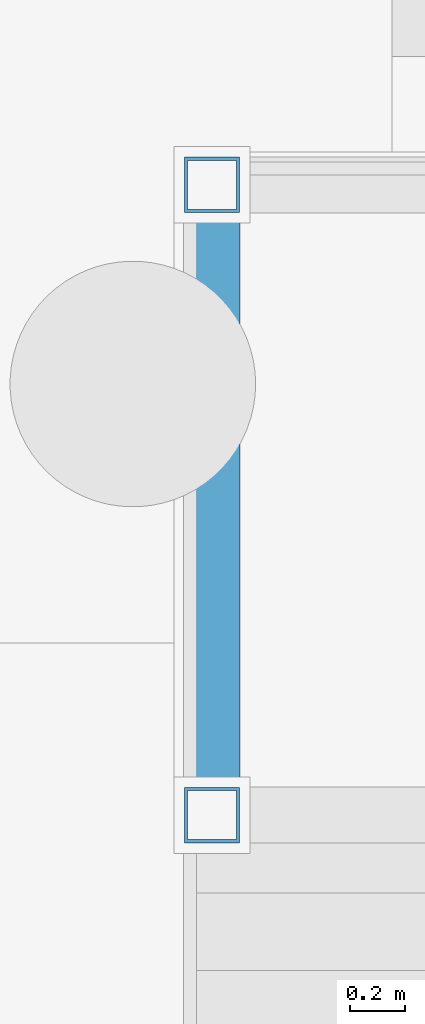
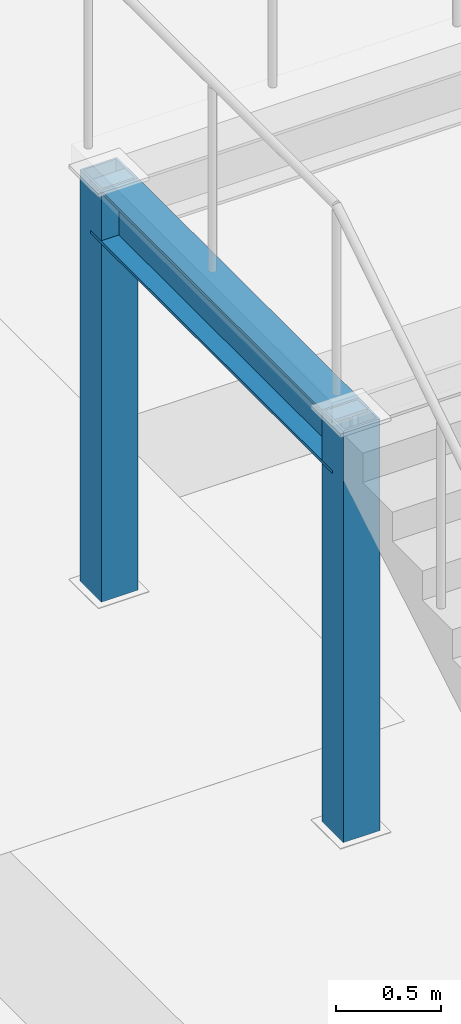
# One storey, part 53 of 119: 2 members, 1 beam.
"""IFC4 building model written with IfcOpenShell, lengths in metres."""

from ifc_helpers import new_model, si_unit, derived_unit, direction, frame, origin, origin_2d, place, context, subcontext, project, spatial, hollow_rectangle, i_section, extrude, material, material_profile, profile_set, type_object, element, save


model = new_model("IFC4")

# Units and contexts
model_context = context("Model", 3, precision=1e-05, world=origin(), true_north=direction((0.0, 1.0)))
body_context = subcontext(model_context, "Body", "Model", "MODEL_VIEW")
ifc_project = project(units=[si_unit("LENGTHUNIT", "METRE"), si_unit("AREAUNIT", "SQUARE_METRE"), si_unit("VOLUMEUNIT", "CUBIC_METRE"), si_unit("PLANEANGLEUNIT", "RADIAN"), si_unit("MASSUNIT", "GRAM", prefix="KILO"), derived_unit("THERMALTRANSMITTANCEUNIT", [(si_unit("MASSUNIT", "GRAM", prefix="KILO"), 1), (si_unit("TIMEUNIT", "SECOND"), -3), (si_unit("THERMODYNAMICTEMPERATUREUNIT", "KELVIN"), -1)])], contexts=[model_context])

# Site, building, storey
site_placement = place(None, origin())
site = spatial("IfcSite", under=ifc_project, at=site_placement, CompositionType="ELEMENT")
building_placement = place(site_placement, origin())
building = spatial("IfcBuilding", under=site, at=building_placement, Name="Makaiwela Harbour Ferry Terminal", CompositionType="ELEMENT")
storey_placement = place(building_placement, origin())
storey = spatial("IfcBuildingStorey", under=building, at=storey_placement, Name="L00", CompositionType="ELEMENT", Elevation=0.0)

# Beam
ifc_material_1 = material(Name="Steel ASTM A992 Grade 50", Category="steel")
ifc_material_profile_1 = material_profile(ifc_material_1, i_section(OverallWidth=0.205078125, OverallDepth=0.31005859375, WebThickness=0.009521484375, FlangeThickness=0.016357421875, at=origin_2d()), Name="W12X50")
ifc_profile_set_1 = profile_set([ifc_material_profile_1], Name="Steel ASTM A992 Grade 50")
beam_type = type_object("IfcBeamType", Name="STR-LNT-W12X50", PredefinedType="LINTEL", material=ifc_profile_set_1)
beam_placement = place(storey_placement, frame((73.239990234375, 64.469970703125, 2.2451171875), z_axis=(0.0, 1.0, 0.0), x_axis=(-1.0, 0.0, 0.0)))
element("IfcBeam", 1, at=beam_placement, inside=storey, type_object=beam_type, Name="Stair Landing Side Beam ST-08-L00-L", PredefinedType="LINTEL", context=body_context, shape_type="SweptSolid", body=[
    extrude(i_section(OverallWidth=0.205078125, OverallDepth=0.31005859375, WebThickness=0.009521484375, FlangeThickness=0.016357421875, at=origin_2d()), origin(), (0.0, 0.0, 1.0), 2.31005859375),
])

# Members
ifc_material_2 = material(Name="Steel ASTM A500 Grade C", Category="steel")
ifc_material_profile_2 = material_profile(ifc_material_2, hollow_rectangle(XDim=0.202880859375, YDim=0.202880859375, WallThickness=0.01171875, at=origin_2d()), Name="HSS8X8X1/2")
ifc_profile_set_2 = profile_set([ifc_material_profile_2], Name="Steel ASTM A500 Grade C")
member_type = type_object("IfcMemberType", Name="STR-PST-HSS8", PredefinedType="POST", material=ifc_profile_set_2)
for number, where, z_axis, x_axis, name in (
    (2, (73.239990234375, 64.469970703125, 0.0), (0.0, 0.0, 1.0), (1.0, 0.0, 0.0), "Stair Landing Post ST-08-L00-P1"),
    (3, (73.239990234375, 66.780029296875, 0.0), (0.0, 0.0, 1.0), (1.0, 0.0, 0.0), "Stair Landing Post ST-08-L00-P3"),
):
    element("IfcMember", number, at=place(storey_placement, frame(where, z_axis=z_axis, x_axis=x_axis)), inside=storey, type_object=member_type, Name=name, PredefinedType="POST", context=body_context, shape_type="SweptSolid", body=[
        extrude(hollow_rectangle(XDim=0.202880859375, YDim=0.202880859375, WallThickness=0.01171875, at=origin_2d()), origin(), (0.0, 0.0, 1.0), 2.39990234375),
    ])

save(model, "model.ifc")
